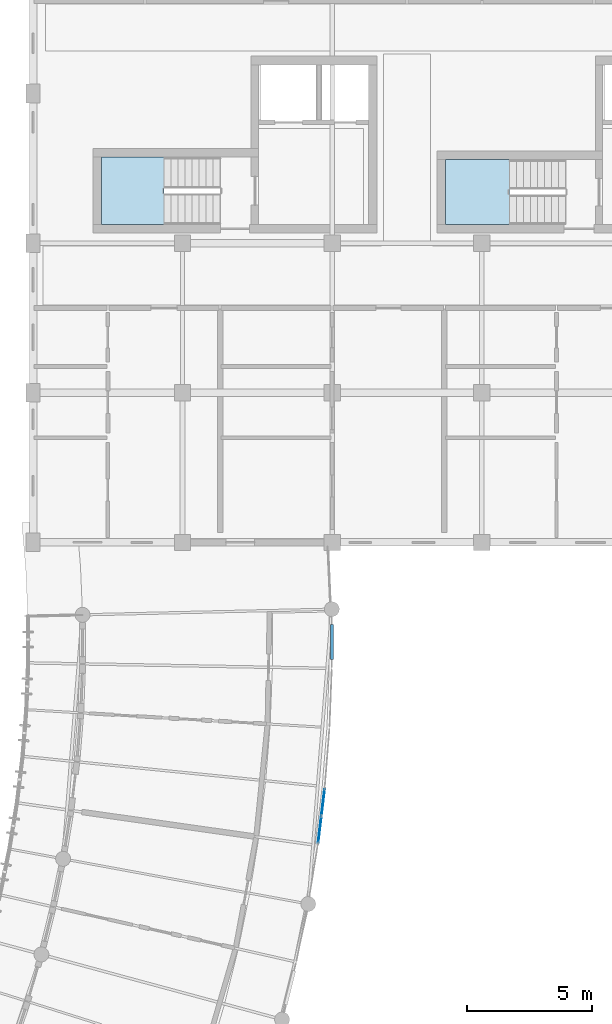
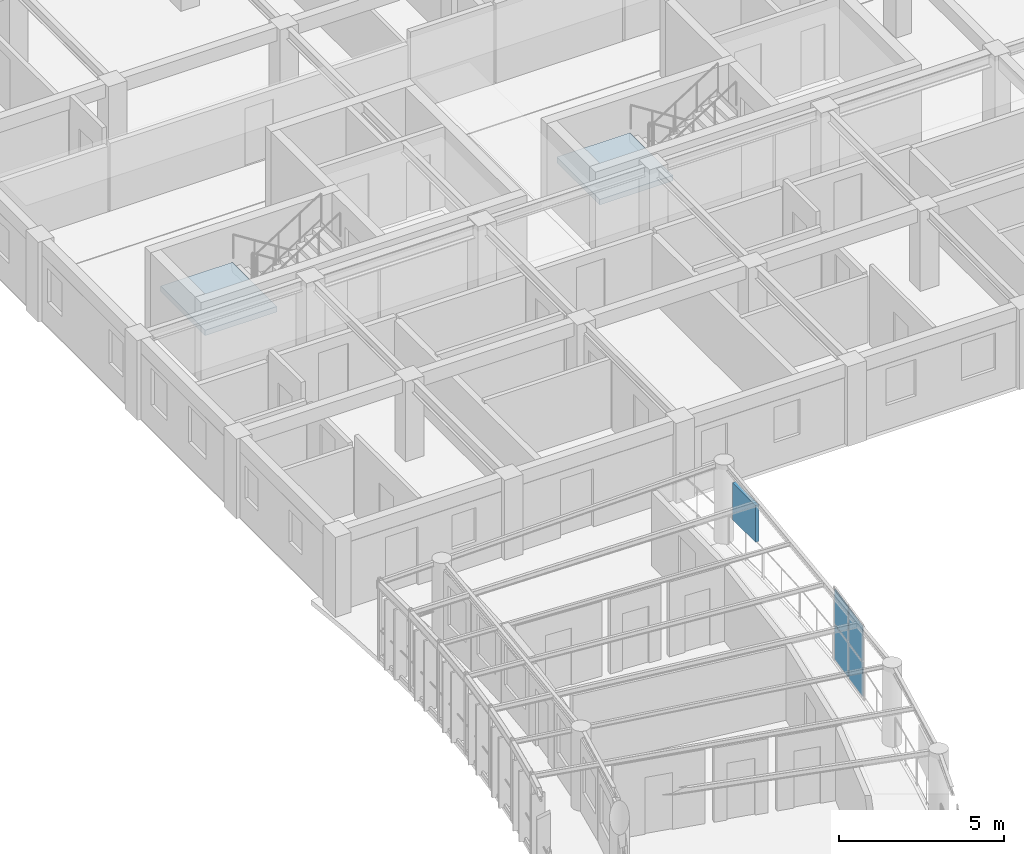
# One storey, part 48 of 100: 5 plates, 2 slabs, 3 elements without a shape of their own.
"""IFC4 building model written with IfcOpenShell, lengths in metres."""

from ifc_helpers import new_model, si_unit, direction, frame, origin, origin_2d, place, context, subcontext, project, spatial, polyline, rectangle, outline, extrude, material, layer, layer_set, type_object, element, aggregate, save


model = new_model("IFC4")

# Units and contexts
model_context = context("Model", 3, precision=1e-05, world=origin(), true_north=direction((0.0, 1.0)))
body_context = subcontext(model_context, "Body", "Model", "MODEL_VIEW")
ifc_project = project(units=[si_unit("LENGTHUNIT", "METRE"), si_unit("AREAUNIT", "SQUARE_METRE"), si_unit("VOLUMEUNIT", "CUBIC_METRE"), si_unit("PLANEANGLEUNIT", "RADIAN"), si_unit("MASSUNIT", "GRAM", prefix="KILO"), si_unit("POWERUNIT", "WATT"), si_unit("THERMODYNAMICTEMPERATUREUNIT", "KELVIN")], contexts=[model_context])

# Site, building, storey
site_placement = place(None, origin())
site = spatial("IfcSite", under=ifc_project, at=site_placement, CompositionType="ELEMENT")
building_placement = place(site_placement, origin())
building = spatial("IfcBuilding", under=site, at=building_placement, Name="Ruvembo Vaulted Housing Court", CompositionType="ELEMENT")
storey_placement = place(building_placement, frame((0.0, 0.0, 14.10009765625)))
storey = spatial("IfcBuildingStorey", under=building, at=storey_placement, Name="L04", CompositionType="ELEMENT", Elevation=14.10009765625)

# Curtain wall, plates
ifc_material_1 = material(Name="Anodised Aluminium and Solar-Control Glass", Category="aluminium")
ifc_layer_1 = layer(ifc_material_1, 0.1201171875, Name="Anodised Aluminium and Solar-Control Glass")
ifc_layer_set_1 = layer_set([ifc_layer_1], Name="Anodised Aluminium and Solar-Control Glass")
curtain_wall_type = type_object("IfcCurtainWallType", Name="CW-SCOOP-GAL", PredefinedType="NOTDEFINED", material=ifc_layer_set_1)
curtain_wall_placement = place(storey_placement, origin())
curtain_wall = element("IfcCurtainWall", 1, at=curtain_wall_placement, inside=storey, type_object=curtain_wall_type, Name="L04 Curtain Wall CW-L04-0024", PredefinedType="NOTDEFINED")
ifc_material_2 = material(Name="Solar-Control Laminated Insulating Glass", Category="glass")
ifc_layer_2 = layer(ifc_material_2, 0.035888671875, Name="Solar-Control Laminated Insulating Glass")
ifc_layer_set_2 = layer_set([ifc_layer_2], Name="Solar-Control Laminated Insulating Glass")
plate_type_1 = type_object("IfcPlateType", Name="CW-PANEL-ACOUST", PredefinedType="CURTAIN_PANEL", material=ifc_layer_set_2)
plate_1_placement = place(storey_placement, frame((59.49951171875, 66.47021484375, 0.06005859375), z_axis=(0.0, 0.0, 1.0), x_axis=(0.12040089337, 0.992725352187, 0.0)))
plate_1 = element("IfcPlate", 2, at=plate_1_placement, type_object=plate_type_1, Name="CW6 panel 1.1", PredefinedType="CURTAIN_PANEL", context=body_context, shape_type="SweptSolid", body=[
    extrude(rectangle(XDim=1.04833984375, YDim=0.035888671875, at=origin_2d()), origin(), (0.0, 0.0, 1.0), 1.259033203125),
])
plate_2_placement = place(storey_placement, frame((59.49951171875, 66.47021484375, 1.37890625), z_axis=(0.0, 0.0, 1.0), x_axis=(0.12040089337, 0.992725352187, 0.0)))
plate_2 = element("IfcPlate", 3, at=plate_2_placement, type_object=plate_type_1, Name="CW6 panel 1.2", PredefinedType="CURTAIN_PANEL", context=body_context, shape_type="SweptSolid", body=[
    extrude(rectangle(XDim=1.04833984375, YDim=0.035888671875, at=origin_2d()), origin(), (0.0, 0.0, 1.0), 1.259033203125),
])
plate_3_placement = place(storey_placement, frame((59.633056640625, 67.570556640625, 0.06005859375), z_axis=(0.0, 0.0, 1.0), x_axis=(0.12040089337, 0.992725352187, 0.0)))
plate_3 = element("IfcPlate", 4, at=plate_3_placement, type_object=plate_type_1, Name="CW6 panel 2.1", PredefinedType="CURTAIN_PANEL", context=body_context, shape_type="SweptSolid", body=[
    extrude(rectangle(XDim=1.04833984375, YDim=0.035888671875, at=origin_2d()), origin(), (0.0, 0.0, 1.0), 1.259033203125),
])
plate_4_placement = place(storey_placement, frame((59.633056640625, 67.570556640625, 1.37890625), z_axis=(0.0, 0.0, 1.0), x_axis=(0.12040089337, 0.992725352187, 0.0)))
plate_4 = element("IfcPlate", 5, at=plate_4_placement, type_object=plate_type_1, Name="CW6 panel 2.2", PredefinedType="CURTAIN_PANEL", context=body_context, shape_type="SweptSolid", body=[
    extrude(rectangle(XDim=1.04833984375, YDim=0.035888671875, at=origin_2d()), origin(), (0.0, 0.0, 1.0), 1.259033203125),
])
aggregate(curtain_wall, [plate_1, plate_2, plate_3, plate_4])

# Plate
ifc_material_3 = material(Name="Perforated Glazed Ceramic Cobogo Block", Category="ceramic")
ifc_layer_3 = layer(ifc_material_3, 0.1201171875, Name="Perforated Glazed Ceramic Cobogo Block")
ifc_layer_set_3 = layer_set([ifc_layer_3], Name="Perforated Glazed Ceramic Cobogo Block")
plate_type_2 = type_object("IfcPlateType", Name="PL-COBOGO-120", PredefinedType="USERDEFINED", material=ifc_layer_set_3)
plate_5_placement = place(storey_placement, frame((59.988037109375, 74.007080078125, 1.11962890625), z_axis=(0.0, 0.0, 1.0), x_axis=(-0.002268926081, 0.999997425984, 0.0)))
element("IfcPlate", 6, at=plate_5_placement, inside=storey, type_object=plate_type_2, Name="Scoop SC1 L04 Ceramic Cobogo Screen #24", ObjectType="COBOGO_PANEL", PredefinedType="USERDEFINED", context=body_context, shape_type="SweptSolid", body=[
    extrude(rectangle(XDim=1.39990234375, YDim=0.1201171875, at=origin_2d()), origin(), (0.0, 0.0, 1.0), 1.360107421875),
])

# Stair, slab
ifc_material_4 = material(Name="Concrete C35/45", Category="concrete")
stair_type_1 = type_object("IfcStairType", Name="STR-CORE-1250", PredefinedType="HALF_TURN_STAIR", material=ifc_material_4)
stair_1_placement = place(storey_placement, origin())
stair_1 = element("IfcStair", 7, at=stair_1_placement, inside=storey, type_object=stair_type_1, Name="L04 Protected Exit Stair ST-B1", PredefinedType="HALF_TURN_STAIR")
ifc_material_5 = material(Name="Concrete C30/37", Category="concrete")
ifc_layer_4 = layer(ifc_material_5, 0.201904296875, Name="Concrete C30/37")
ifc_layer_set_4 = layer_set([ifc_layer_4], Name="Concrete C30/37")
slab_type = type_object("IfcSlabType", Name="SL-LAND-202", PredefinedType="LANDING", material=ifc_layer_set_4)
slab_1_placement = place(storey_placement, frame((0.0, 0.0, 1.39990234375)))
slab_1 = element("IfcSlab", 8, at=slab_1_placement, type_object=slab_type, Name="ST-B1 landing 1", PredefinedType="LANDING", context=body_context, shape_type="SweptSolid", body=[
    extrude(outline(polyline([(53.260009765625, 93.449951171875), (50.75, 93.449951171875), (50.75, 90.75), (53.260009765625, 90.75), (53.260009765625, 93.449951171875)])), origin(), (0.0, 0.0, 1.0), 0.199951171875),
])
aggregate(stair_1, [slab_1])

stair_type_2 = type_object("IfcStairType", Name="STR-CORE-1200", PredefinedType="HALF_TURN_STAIR", material=ifc_material_4)
stair_2_placement = place(storey_placement, origin())
stair_2 = element("IfcStair", 9, at=stair_2_placement, inside=storey, type_object=stair_type_2, Name="L04 Protected Exit Stair ST-B2", PredefinedType="HALF_TURN_STAIR")
slab_2_placement = place(storey_placement, frame((0.0, 0.0, 1.39990234375)))
slab_2 = element("IfcSlab", 10, at=slab_2_placement, type_object=slab_type, Name="ST-B2 landing 1", PredefinedType="LANDING", context=body_context, shape_type="SweptSolid", body=[
    extrude(outline(polyline([(67.110107421875, 93.35009765625), (64.550048828125, 93.35009765625), (64.550048828125, 90.75), (67.110107421875, 90.75), (67.110107421875, 93.35009765625)])), origin(), (0.0, 0.0, 1.0), 0.199951171875),
])
aggregate(stair_2, [slab_2])

save(model, "model.ifc")
